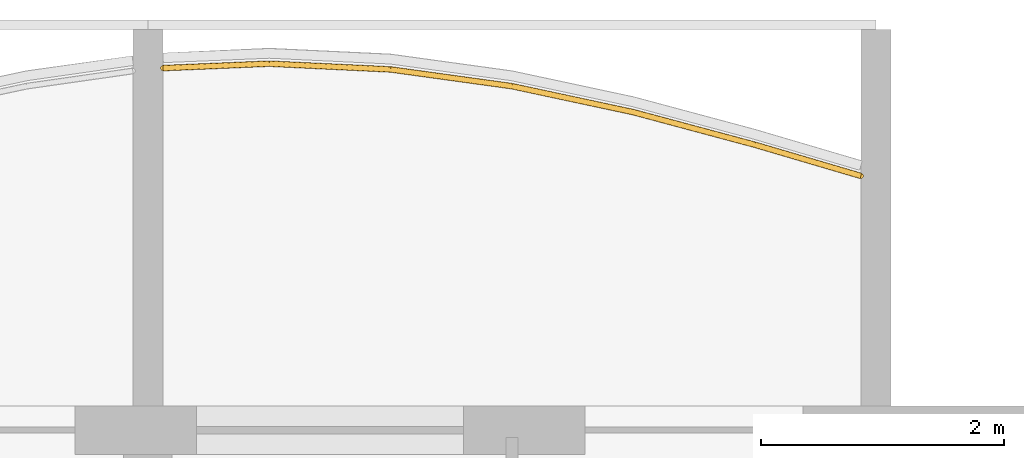
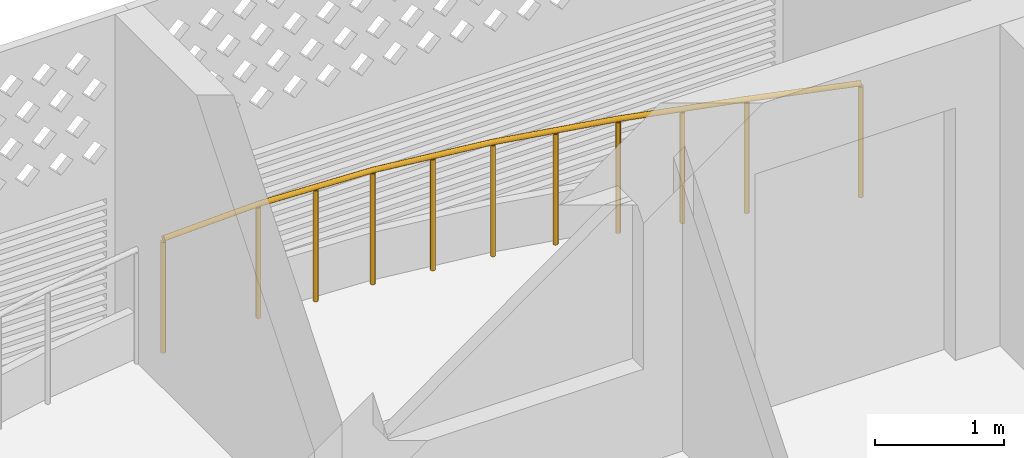
# One storey, part 39 of 40: 1 railing.
"""IFC4 building model written with IfcOpenShell, lengths in metres."""

from ifc_helpers import new_model, si_unit, direction, frame, origin, origin_2d, place, context, subcontext, project, spatial, circle, extrude, material, type_object, element, save


model = new_model("IFC4")

# Units and contexts
model_context = context("Model", 3, precision=1e-05, world=origin(), true_north=direction((0.0, 1.0)))
body_context = subcontext(model_context, "Body", "Model", "MODEL_VIEW")
ifc_project = project(units=[si_unit("LENGTHUNIT", "METRE"), si_unit("AREAUNIT", "SQUARE_METRE"), si_unit("VOLUMEUNIT", "CUBIC_METRE"), si_unit("PLANEANGLEUNIT", "RADIAN"), si_unit("MASSUNIT", "GRAM", prefix="KILO")], contexts=[model_context])

# Site, building, storey
site_placement = place(None, origin())
site = spatial("IfcSite", under=ifc_project, at=site_placement, CompositionType="ELEMENT")
building_placement = place(site_placement, origin())
building = spatial("IfcBuilding", under=site, at=building_placement, Name="Poui Terraces", CompositionType="ELEMENT")
storey_placement = place(building_placement, frame((0.0, 0.0, 33.300048828125)))
storey = spatial("IfcBuildingStorey", under=building, at=storey_placement, Name="L08", CompositionType="ELEMENT", Elevation=33.300048828125)

# Railing
ifc_material = material(Name="Painted steel fretwork", Category="steel")
railing_type = type_object("IfcRailingType", Name="BALCONY GUARD 1100", PredefinedType="GUARDRAIL", material=ifc_material)
railing_placement = place(storey_placement, frame((90.125, 47.783447265625, 0.0)))
element("IfcRailing", 1, at=railing_placement, inside=storey, type_object=railing_type, Name="BALCONY GUARD", PredefinedType="GUARDRAIL", context=body_context, shape_type="SweptSolid", body=[
    extrude(circle(Radius=0.02392578125, at=origin_2d()), frame((0.0, 0.0, 1.076171875), z_axis=(0.999125325571, 0.041816071104, 0.0), x_axis=(-0.041816071104, 0.999125325571, 0.0)), (0.0, 0.0, 1.0), 0.875732421875),
    extrude(circle(Radius=0.02392578125, at=origin_2d()), frame((0.875, 0.03662109375, 1.076171875), z_axis=(0.998868689387, -0.047553563093, 0.0), x_axis=(0.047553563093, 0.998868689387, 0.0)), (0.0, 0.0, 1.0), 1.001220703125),
    extrude(circle(Radius=0.02392578125, at=origin_2d()), frame((1.875, -0.010986328125, 1.076171875), z_axis=(0.990620000385, -0.136645581108, 0.0), x_axis=(0.136645581108, 0.990620000385, 0.0)), (0.0, 0.0, 1.0), 1.009521484375),
    extrude(circle(Radius=0.02392578125, at=origin_2d()), frame((2.875, -0.14892578125, 1.076171875), z_axis=(0.977837336556, -0.20936605082, 0.0), x_axis=(0.20936605082, 0.977837336556, 0.0)), (0.0, 0.0, 1.0), 1.022705078125),
    extrude(circle(Radius=0.02392578125, at=origin_2d()), frame((3.875, -0.363037109375, 1.076171875), z_axis=(0.965897516379, -0.258924676022, 0.0), x_axis=(0.258924676022, 0.965897516379, 0.0)), (0.0, 0.0, 1.0), 1.035400390625),
    extrude(circle(Radius=0.02392578125, at=origin_2d()), frame((4.875, -0.631103515625, 1.076171875), z_axis=(0.959374026053, -0.282137339135, 0.0), x_axis=(0.282137339135, 0.959374026053, 0.0)), (0.0, 0.0, 1.0), 0.912109375),
    extrude(circle(Radius=0.02099609375, at=origin_2d()), origin(), (0.0, 0.0, 1.0), 1.052001953125),
    extrude(circle(Radius=0.02099609375, at=origin_2d()), frame((0.875, 0.03662109375, 0.0)), (0.0, 0.0, 1.0), 1.052001953125),
    extrude(circle(Radius=0.02099609375, at=origin_2d()), frame((1.375, 0.0126953125, 0.0)), (0.0, 0.0, 1.0), 1.052001953125),
    extrude(circle(Radius=0.02099609375, at=origin_2d()), frame((1.875, -0.010986328125, 0.0)), (0.0, 0.0, 1.0), 1.052001953125),
    extrude(circle(Radius=0.02099609375, at=origin_2d()), frame((2.375, -0.080078125, 0.0)), (0.0, 0.0, 1.0), 1.052001953125),
    extrude(circle(Radius=0.02099609375, at=origin_2d()), frame((2.875, -0.14892578125, 0.0)), (0.0, 0.0, 1.0), 1.052001953125),
    extrude(circle(Radius=0.02099609375, at=origin_2d()), frame((3.375, -0.255859375, 0.0)), (0.0, 0.0, 1.0), 1.052001953125),
    extrude(circle(Radius=0.02099609375, at=origin_2d()), frame((3.875, -0.363037109375, 0.0)), (0.0, 0.0, 1.0), 1.052001953125),
    extrude(circle(Radius=0.02099609375, at=origin_2d()), frame((4.375, -0.4970703125, 0.0)), (0.0, 0.0, 1.0), 1.052001953125),
    extrude(circle(Radius=0.02099609375, at=origin_2d()), frame((4.875, -0.631103515625, 0.0)), (0.0, 0.0, 1.0), 1.052001953125),
    extrude(circle(Radius=0.02099609375, at=origin_2d()), frame((5.75, -0.888427734375, 0.0)), (0.0, 0.0, 1.0), 1.052001953125),
])

save(model, "model.ifc")
